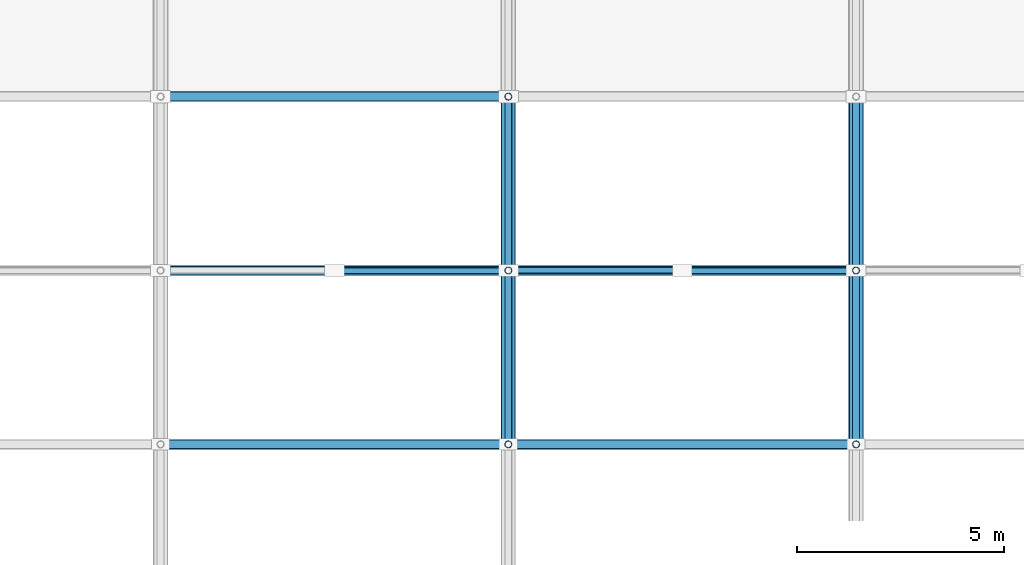
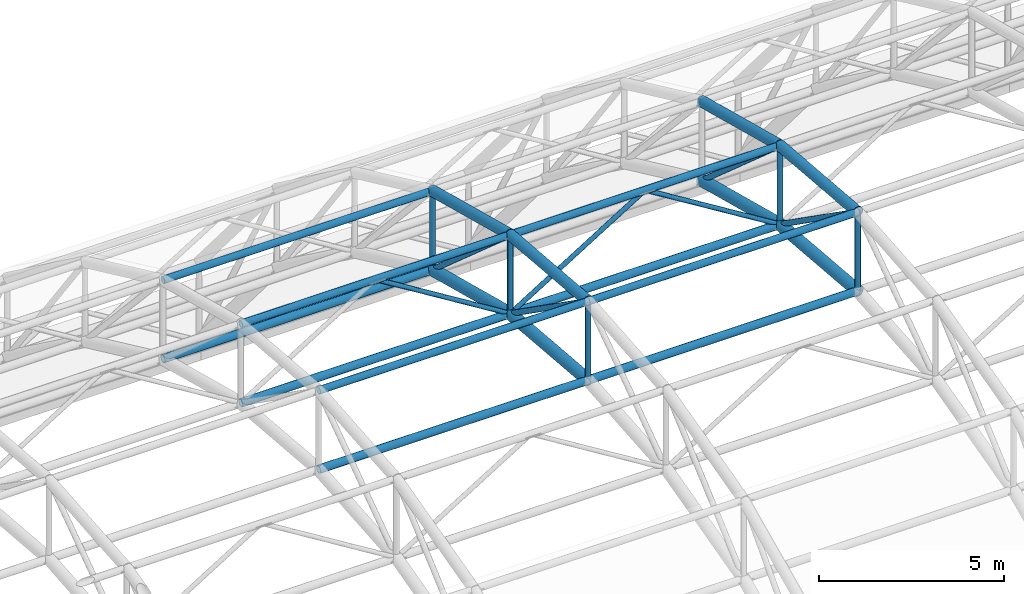
# One storey, part 44 of 103: 22 members, 8 beams.
"""IFC4 building model written with IfcOpenShell, lengths in metres."""

import ifcopenshell
import ifcopenshell.guid

model = None  # the IFC model being written
_history = None  # IfcOwnerHistory: only IFC2X3 demands one
_inside = {}  # id of a spatial element -> (the spatial element, [elements in it])
_under = {}  # id of a project, library or spatial element -> (it, [spatial elements below it])
_declared = {}  # id of a project -> (the project, [libraries it declares])
_typed = {}  # id of a type object -> (the type object, [elements of that type])
_made_of = {}  # id of a material, layer set ... -> (it, [elements and type objects made of it])


def new_model(schema):
    """Start an empty IFC model of exactly this schema.

    Asked for "IFC4X3", IfcOpenShell would pick the latest addendum, in which some entities
    have other attributes; the version numbers below select the first issue.
    IFC2X3 requires an IfcOwnerHistory on every rooted entity: one is made here for all.
    """
    global model, _history
    if schema == "IFC4X3":
        model = ifcopenshell.file(schema_version=(4, 3, 0, 0))
    else:
        model = ifcopenshell.file(schema=schema)
    _inside.clear()
    _under.clear()
    _declared.clear()
    _typed.clear()
    _made_of.clear()
    _history = None
    if model.schema == "IFC2X3":
        org = make("IfcOrganization", Name="unknown")
        user = make(
            "IfcPersonAndOrganization",
            ThePerson=make("IfcPerson", FamilyName="unknown"),
            TheOrganization=org,
        )
        app = make(
            "IfcApplication",
            ApplicationDeveloper=org,
            Version="unknown",
            ApplicationFullName="unknown",
            ApplicationIdentifier="unknown",
        )
        _history = make(
            "IfcOwnerHistory",
            OwningUser=user,
            OwningApplication=app,
            ChangeAction="ADDED",
            CreationDate=0,
        )
    return model


def make(cls, **values):
    """One entity of the class cls with the attributes given. An attribute that is None is left unset."""
    return model.create_entity(
        cls, **{name: value for name, value in values.items() if value is not None}
    )


def rooted(cls, **values):
    """An entity with a GlobalId (a new one), such as an element, a storey or a relation."""
    return make(cls, GlobalId=ifcopenshell.guid.new(), OwnerHistory=_history, **values)


def si_unit(unit_type, name, prefix=None):
    """IfcSIUnit, for example si_unit("LENGTHUNIT", "METRE", prefix="MILLI")."""
    return make("IfcSIUnit", UnitType=unit_type, Prefix=prefix, Name=name)


def assignment(units):
    """IfcUnitAssignment: the units of a project."""
    return None if units is None else make("IfcUnitAssignment", Units=units)


def point(xyz):
    """IfcCartesianPoint."""
    return None if xyz is None else make("IfcCartesianPoint", Coordinates=xyz)


def direction(xyz):
    """IfcDirection."""
    return None if xyz is None else make("IfcDirection", DirectionRatios=xyz)


def frame(location, z_axis=None, x_axis=None):
    """IfcAxis2Placement3D, a coordinate frame: its origin and axes. An axis left out is left unset."""
    return make(
        "IfcAxis2Placement3D",
        Location=point(location),
        Axis=direction(z_axis),
        RefDirection=direction(x_axis),
    )


def frame_2d(location, x_axis=None):
    """IfcAxis2Placement2D, a coordinate frame in the plane: its origin and x axis."""
    return make(
        "IfcAxis2Placement2D", Location=point(location), RefDirection=direction(x_axis)
    )


def origin():
    """The frame at (0, 0, 0) with its axes left unset."""
    return frame((0.0, 0.0, 0.0))


def origin_2d():
    """The frame at (0, 0) in the plane with its x axis left unset."""
    return frame_2d((0.0, 0.0))


def place(relative_to, where):
    """IfcLocalPlacement: puts the frame where relative to a parent placement (None: the world)."""
    return make(
        "IfcLocalPlacement", PlacementRelTo=relative_to, RelativePlacement=where
    )


def context(
    kind, dimensions, precision=None, world=None, true_north=None, identifier=None
):
    """IfcGeometricRepresentationContext, for example the 3D "Model" context."""
    return make(
        "IfcGeometricRepresentationContext",
        ContextIdentifier=identifier,
        ContextType=kind,
        CoordinateSpaceDimension=dimensions,
        Precision=precision,
        WorldCoordinateSystem=world,
        TrueNorth=true_north,
    )


def subcontext(parent, identifier, kind, view, scale=None):
    """IfcGeometricRepresentationSubContext, for example "Body" below "Model"."""
    return make(
        "IfcGeometricRepresentationSubContext",
        ContextIdentifier=identifier,
        ContextType=kind,
        ParentContext=parent,
        TargetScale=scale,
        TargetView=view,
    )


def project(units=None, contexts=None):
    """IfcProject with its units and contexts."""
    return rooted(
        "IfcProject",
        Name="project",
        RepresentationContexts=contexts,
        UnitsInContext=assignment(units),
    )


def spatial(cls, under=None, at=None, **own):
    """A site, building, storey or space (cls), placed at a placement, below another one or the project."""
    s = rooted(cls, ObjectPlacement=at, **own)
    if under is not None:
        _under.setdefault(under.id(), (under, []))[1].append(s)
    return s


def profile(cls, at=None, kind="AREA", **sizes):
    """A parametric profile (cls). Its sizes go by their IFC names, for example OverallWidth=200.0."""
    return make(cls, ProfileType=kind, Position=at, **sizes)


def hollow_circle(**sizes):
    """IfcCircleHollowProfileDef."""
    return profile("IfcCircleHollowProfileDef", **sizes)


def extrude(swept, where, along, depth):
    """IfcExtrudedAreaSolid: the profile swept, set in the frame where, extruded along a direction by depth."""
    return make(
        "IfcExtrudedAreaSolid",
        SweptArea=swept,
        Position=where,
        ExtrudedDirection=direction(along),
        Depth=depth,
    )


def shape(context_of_items, identifier, shape_type, items):
    """IfcShapeRepresentation: the items that make up one representation, for example the "Body"."""
    return make(
        "IfcShapeRepresentation",
        ContextOfItems=context_of_items,
        RepresentationIdentifier=identifier,
        RepresentationType=shape_type,
        Items=items,
    )


def material(Name=None, Category=None):
    """IfcMaterial."""
    return make("IfcMaterial", Name=Name, Category=Category)


def material_profile(
    of_material, cross_section, Name=None, Category=None, Priority=None
):
    """IfcMaterialProfile: a cross section and its material."""
    return make(
        "IfcMaterialProfile",
        Name=Name,
        Material=of_material,
        Profile=cross_section,
        Priority=Priority,
        Category=Category,
    )


def profile_set(profiles, Name=None, composite=None):
    """IfcMaterialProfileSet."""
    return make(
        "IfcMaterialProfileSet",
        Name=Name,
        MaterialProfiles=profiles,
        CompositeProfile=composite,
    )


def made_of(thing, what):
    """Note that an element or type object is made of a material, layer set ...; save() writes the relation."""
    if what is not None:
        _made_of.setdefault(what.id(), (what, []))[1].append(thing)
    return thing


def type_object(cls, material=None, **own):
    """A type object (cls), such as IfcWallType, which elements share."""
    return made_of(rooted(cls, **own), material)


def element(
    cls,
    number,
    at=None,
    inside=None,
    cuts=None,
    type_object=None,
    material=None,
    context=None,
    identifier="Body",
    shape_type=None,
    held_by="IfcProductDefinitionShape",
    body=None,
    shapes=None,
    **own,
):
    """One element of the class cls, such as IfcWall. Its Tag is "e" and its number.

    at: its placement. inside: the storey or other place that contains it. cuts: it is an
    opening in that element (IfcRelVoidsElement). A single representation is given by context,
    identifier, shape_type and body (its items); several are given by shapes. held_by: the class
    of the entity that holds the representations. save() writes the other relations.
    """
    e = rooted(cls, Tag="e%d" % number, ObjectPlacement=at, **own)
    if body is not None:
        shapes = [shape(context, identifier, shape_type, body)]
    if shapes is not None:
        e.Representation = make(held_by, Representations=shapes)
    if inside is not None:
        _inside.setdefault(inside.id(), (inside, []))[1].append(e)
    if cuts is not None:
        rooted(
            "IfcRelVoidsElement", RelatingBuildingElement=cuts, RelatedOpeningElement=e
        )
    if type_object is not None:
        _typed.setdefault(type_object.id(), (type_object, []))[1].append(e)
    return made_of(e, material)


def aggregate(whole, parts):
    """IfcRelAggregates: a whole, such as a stair, and the parts it consists of."""
    return rooted("IfcRelAggregates", RelatingObject=whole, RelatedObjects=parts)


def save(model, path):
    """Write the relations noted so far, then the file.

    IfcRelAggregates (storeys below a building ...), IfcRelContainedInSpatialStructure (elements
    in a storey), IfcRelDefinesByType, IfcRelAssociatesMaterial and IfcRelDeclares: one each for
    every whole, place, type object, material and project.
    """
    for whole, parts in _under.values():
        aggregate(whole, parts)
    for where, things in _inside.values():
        rooted(
            "IfcRelContainedInSpatialStructure",
            RelatedElements=things,
            RelatingStructure=where,
        )
    for kind, things in _typed.values():
        rooted("IfcRelDefinesByType", RelatedObjects=things, RelatingType=kind)
    for what, things in _made_of.values():
        rooted("IfcRelAssociatesMaterial", RelatedObjects=things, RelatingMaterial=what)
    for by, libraries in _declared.values():
        rooted("IfcRelDeclares", RelatingContext=by, RelatedDefinitions=libraries)
    model.write(path)


model = new_model("IFC4")

# Units and contexts
model_context = context("Model", 3, precision=1e-05, world=origin(), true_north=direction((0.0, 1.0)))
body_context = subcontext(model_context, "Body", "Model", "MODEL_VIEW")
ifc_project = project(units=[si_unit("LENGTHUNIT", "METRE"), si_unit("AREAUNIT", "SQUARE_METRE"), si_unit("VOLUMEUNIT", "CUBIC_METRE"), si_unit("PLANEANGLEUNIT", "RADIAN"), si_unit("MASSUNIT", "GRAM", prefix="KILO")], contexts=[model_context])

# Site, building, storey
site_placement = place(None, origin())
site = spatial("IfcSite", under=ifc_project, at=site_placement, CompositionType="ELEMENT")
building_placement = place(site_placement, origin())
building = spatial("IfcBuilding", under=site, at=building_placement, Name="Varnapada Polytechnic", CompositionType="ELEMENT")
storey_placement = place(building_placement, frame((0.0, 0.0, 18.0)))
storey = spatial("IfcBuildingStorey", under=building, at=storey_placement, Name="L04", CompositionType="ELEMENT", Elevation=18.0)

# Members
ifc_material = material(Name="Steel S355", Category="steel")
ifc_material_profile_1 = material_profile(ifc_material, hollow_circle(Radius=0.122314453125, WallThickness=0.008056640625, at=origin_2d()), Name="CHS 244.5x8.0")
ifc_profile_set_1 = profile_set([ifc_material_profile_1], Name="Steel S355")
member_type_1 = type_object("IfcMemberType", Name="Vaulted space frame longitudinal bottom chord SFC-01 (CHS 244.5x8.0)", PredefinedType="CHORD", material=ifc_profile_set_1)
for number, where, z_axis, x_axis, name in (
    (1, (92.39990234375, 105.0, 11.435302734375), (1.0, 0.0, 0.0), (0.0, 1.0, 0.0), "Vaulted space frame longitudinal bottom chord 6.6"),
    (2, (92.39990234375, 109.199951171875, 11.080078125), (1.0, 0.0, 0.0), (0.0, 1.0, 0.0), "Vaulted space frame longitudinal bottom chord 6.7"),
    (3, (92.39990234375, 113.39990234375, 9.98193359375), (1.0, 0.0, 0.0), (0.0, 1.0, 0.0), "Vaulted space frame longitudinal bottom chord 6.8"),
):
    element("IfcMember", number, at=place(storey_placement, frame(where, z_axis=z_axis, x_axis=x_axis)), inside=storey, type_object=member_type_1, Name=name, PredefinedType="CHORD", context=body_context, shape_type="SweptSolid", body=[
        extrude(hollow_circle(Radius=0.122314453125, WallThickness=0.008056640625, at=origin_2d()), origin(), (0.0, 0.0, 1.0), 8.400146484375),
    ])
for number, where, z_axis, x_axis, name in (
    (4, (100.800048828125, 105.0, 11.435302734375), (1.0, 0.0, 0.0), (0.0, 1.0, 0.0), "Vaulted space frame longitudinal bottom chord 7.6"),
    (5, (100.800048828125, 109.199951171875, 11.080078125), (1.0, 0.0, 0.0), (0.0, 1.0, 0.0), "Vaulted space frame longitudinal bottom chord 7.7"),
):
    element("IfcMember", number, at=place(storey_placement, frame(where, z_axis=z_axis, x_axis=x_axis)), inside=storey, type_object=member_type_1, Name=name, PredefinedType="CHORD", context=body_context, shape_type="SweptSolid", body=[
        extrude(hollow_circle(Radius=0.122314453125, WallThickness=0.008056640625, at=origin_2d()), origin(), (0.0, 0.0, 1.0), 8.39990234375),
    ])
ifc_material_profile_2 = material_profile(ifc_material, hollow_circle(Radius=0.109619140625, WallThickness=0.008056640625, at=origin_2d()), Name="CHS 219.1x8.0")
ifc_profile_set_2 = profile_set([ifc_material_profile_2], Name="Steel S355")
member_type_2 = type_object("IfcMemberType", Name="Vaulted space frame longitudinal top chord SFC-02 (CHS 219.1x8.0)", PredefinedType="CHORD", material=ifc_profile_set_2)
for number, where, z_axis, x_axis, name in (
    (6, (92.39990234375, 105.0, 14.035400390625), (1.0, 0.0, 0.0), (0.0, 1.0, 0.0), "Vaulted space frame longitudinal top chord 6.6"),
    (7, (92.39990234375, 109.199951171875, 13.679931640625), (1.0, 0.0, 0.0), (0.0, 1.0, 0.0), "Vaulted space frame longitudinal top chord 6.7"),
    (8, (92.39990234375, 113.39990234375, 12.581787109375), (1.0, 0.0, 0.0), (0.0, 1.0, 0.0), "Vaulted space frame longitudinal top chord 6.8"),
):
    element("IfcMember", number, at=place(storey_placement, frame(where, z_axis=z_axis, x_axis=x_axis)), inside=storey, type_object=member_type_2, Name=name, PredefinedType="CHORD", context=body_context, shape_type="SweptSolid", body=[
        extrude(hollow_circle(Radius=0.109619140625, WallThickness=0.008056640625, at=origin_2d()), origin(), (0.0, 0.0, 1.0), 8.400146484375),
    ])
for number, where, z_axis, x_axis, name in (
    (9, (100.800048828125, 105.0, 14.035400390625), (1.0, 0.0, 0.0), (0.0, 1.0, 0.0), "Vaulted space frame longitudinal top chord 7.6"),
    (10, (100.800048828125, 109.199951171875, 13.679931640625), (1.0, 0.0, 0.0), (0.0, 1.0, 0.0), "Vaulted space frame longitudinal top chord 7.7"),
):
    element("IfcMember", number, at=place(storey_placement, frame(where, z_axis=z_axis, x_axis=x_axis)), inside=storey, type_object=member_type_2, Name=name, PredefinedType="CHORD", context=body_context, shape_type="SweptSolid", body=[
        extrude(hollow_circle(Radius=0.109619140625, WallThickness=0.008056640625, at=origin_2d()), origin(), (0.0, 0.0, 1.0), 8.39990234375),
    ])

# Beams
ifc_material_profile_3 = material_profile(ifc_material, hollow_circle(Radius=0.177734375, WallThickness=0.012451171875, at=origin_2d()), Name="CHS 355.6x12.5")
ifc_profile_set_3 = profile_set([ifc_material_profile_3], Name="Steel S355")
beam_type_1 = type_object("IfcBeamType", Name="Vaulted space frame primary arch rib VA-01 (CHS 355.6x12.5)", PredefinedType="BEAM", material=ifc_profile_set_3)
beam_1_placement = place(storey_placement, frame((100.800048828125, 105.0, 11.435302734375), z_axis=(0.0, 0.99644233396, -0.084277369988), x_axis=(-1.0, 0.0, 0.0)))
element("IfcBeam", 11, at=beam_1_placement, inside=storey, type_object=beam_type_1, Name="Vaulted space frame bottom arch chord 7.6", PredefinedType="BEAM", context=body_context, shape_type="SweptSolid", body=[
    extrude(hollow_circle(Radius=0.177734375, WallThickness=0.012451171875, at=origin_2d()), origin(), (0.0, 0.0, 1.0), 4.21484375),
])
beam_2_placement = place(storey_placement, frame((100.800048828125, 109.199951171875, 11.080078125), z_axis=(0.0, 0.967476176159, -0.252962148484), x_axis=(-1.0, 0.0, 0.0)))
element("IfcBeam", 12, at=beam_2_placement, inside=storey, type_object=beam_type_1, Name="Vaulted space frame bottom arch chord 7.7", PredefinedType="BEAM", context=body_context, shape_type="SweptSolid", body=[
    extrude(hollow_circle(Radius=0.177734375, WallThickness=0.012451171875, at=origin_2d()), origin(), (0.0, 0.0, 1.0), 4.341064453125),
])
beam_3_placement = place(storey_placement, frame((109.199951171875, 105.0, 11.435302734375), z_axis=(0.0, 0.99644233396, -0.084277369988), x_axis=(-1.0, 0.0, 0.0)))
element("IfcBeam", 13, at=beam_3_placement, inside=storey, type_object=beam_type_1, Name="Vaulted space frame bottom arch chord 8.6", PredefinedType="BEAM", context=body_context, shape_type="SweptSolid", body=[
    extrude(hollow_circle(Radius=0.177734375, WallThickness=0.012451171875, at=origin_2d()), origin(), (0.0, 0.0, 1.0), 4.21484375),
])
beam_4_placement = place(storey_placement, frame((109.199951171875, 109.199951171875, 11.080078125), z_axis=(0.0, 0.967476176159, -0.252962148484), x_axis=(-1.0, 0.0, 0.0)))
element("IfcBeam", 14, at=beam_4_placement, inside=storey, type_object=beam_type_1, Name="Vaulted space frame bottom arch chord 8.7", PredefinedType="BEAM", context=body_context, shape_type="SweptSolid", body=[
    extrude(hollow_circle(Radius=0.177734375, WallThickness=0.012451171875, at=origin_2d()), origin(), (0.0, 0.0, 1.0), 4.341064453125),
])

# Members
ifc_material_profile_4 = material_profile(ifc_material, hollow_circle(Radius=0.084228515625, WallThickness=0.00634765625, at=origin_2d()), Name="CHS 168.3x6.3")
ifc_profile_set_4 = profile_set([ifc_material_profile_4], Name="Steel S355")
member_type_3 = type_object("IfcMemberType", Name="Vaulted space frame primary web diagonal SFB-01 (CHS 168.3x6.3)", PredefinedType="BRACE", material=ifc_profile_set_4)
member_1_placement = place(storey_placement, frame((100.800048828125, 105.0, 14.035400390625), z_axis=(0.0, 0.817824649693, -0.575467498956), x_axis=(-1.0, 0.0, 0.0)))
element("IfcMember", 15, at=member_1_placement, inside=storey, type_object=member_type_3, Name="Vaulted space frame web diagonal 7.6", PredefinedType="BRACE", context=body_context, shape_type="SweptSolid", body=[
    extrude(hollow_circle(Radius=0.084228515625, WallThickness=0.00634765625, at=origin_2d()), origin(), (0.0, 0.0, 1.0), 5.135498046875),
])
member_2_placement = place(storey_placement, frame((100.800048828125, 109.199951171875, 13.679931640625), z_axis=(0.0, 0.750532603682, -0.660833421378), x_axis=(-1.0, 0.0, 0.0)))
element("IfcMember", 16, at=member_2_placement, inside=storey, type_object=member_type_3, Name="Vaulted space frame web diagonal 7.7", PredefinedType="BRACE", context=body_context, shape_type="SweptSolid", body=[
    extrude(hollow_circle(Radius=0.084228515625, WallThickness=0.00634765625, at=origin_2d()), origin(), (0.0, 0.0, 1.0), 5.595947265625),
])
member_3_placement = place(storey_placement, frame((109.199951171875, 105.0, 14.035400390625), z_axis=(0.0, 0.817824649693, -0.575467498956), x_axis=(-1.0, 0.0, 0.0)))
element("IfcMember", 17, at=member_3_placement, inside=storey, type_object=member_type_3, Name="Vaulted space frame web diagonal 8.6", PredefinedType="BRACE", context=body_context, shape_type="SweptSolid", body=[
    extrude(hollow_circle(Radius=0.084228515625, WallThickness=0.00634765625, at=origin_2d()), origin(), (0.0, 0.0, 1.0), 5.135498046875),
])
member_4_placement = place(storey_placement, frame((109.199951171875, 109.199951171875, 13.679931640625), z_axis=(0.0, 0.750532603682, -0.660833421378), x_axis=(-1.0, 0.0, 0.0)))
element("IfcMember", 18, at=member_4_placement, inside=storey, type_object=member_type_3, Name="Vaulted space frame web diagonal 8.7", PredefinedType="BRACE", context=body_context, shape_type="SweptSolid", body=[
    extrude(hollow_circle(Radius=0.084228515625, WallThickness=0.00634765625, at=origin_2d()), origin(), (0.0, 0.0, 1.0), 5.595947265625),
])
ifc_material_profile_5 = material_profile(ifc_material, hollow_circle(Radius=0.084228515625, WallThickness=0.00634765625, at=origin_2d()), Name="CHS 168.3x6.3")
ifc_profile_set_5 = profile_set([ifc_material_profile_5], Name="Steel S355")
member_type_4 = type_object("IfcMemberType", Name="Vaulted space frame radial web strut SFS-01 (CHS 168.3x6.3)", PredefinedType="STRUT", material=ifc_profile_set_5)
member_5_placement = place(storey_placement, frame((100.800048828125, 105.0, 11.435302734375), z_axis=(0.0, 0.0, 1.0), x_axis=(1.0, 0.0, 0.0)))
element("IfcMember", 19, at=member_5_placement, inside=storey, type_object=member_type_4, Name="Vaulted space frame strut 7.6", PredefinedType="STRUT", context=body_context, shape_type="SweptSolid", body=[
    extrude(hollow_circle(Radius=0.084228515625, WallThickness=0.00634765625, at=origin_2d()), origin(), (0.0, 0.0, 1.0), 2.60009765625),
])
for number, where, z_axis, x_axis, name in (
    (20, (100.800048828125, 109.199951171875, 11.080078125), (0.0, 0.0, 1.0), (1.0, 0.0, 0.0), "Vaulted space frame strut 7.7"),
    (21, (100.800048828125, 113.39990234375, 9.98193359375), (0.0, 0.0, 1.0), (1.0, 0.0, 0.0), "Vaulted space frame strut 7.8"),
):
    element("IfcMember", number, at=place(storey_placement, frame(where, z_axis=z_axis, x_axis=x_axis)), inside=storey, type_object=member_type_4, Name=name, PredefinedType="STRUT", context=body_context, shape_type="SweptSolid", body=[
        extrude(hollow_circle(Radius=0.084228515625, WallThickness=0.00634765625, at=origin_2d()), origin(), (0.0, 0.0, 1.0), 2.599853515625),
    ])
member_6_placement = place(storey_placement, frame((109.199951171875, 105.0, 11.435302734375), z_axis=(0.0, 0.0, 1.0), x_axis=(1.0, 0.0, 0.0)))
element("IfcMember", 22, at=member_6_placement, inside=storey, type_object=member_type_4, Name="Vaulted space frame strut 8.6", PredefinedType="STRUT", context=body_context, shape_type="SweptSolid", body=[
    extrude(hollow_circle(Radius=0.084228515625, WallThickness=0.00634765625, at=origin_2d()), origin(), (0.0, 0.0, 1.0), 2.60009765625),
])
member_7_placement = place(storey_placement, frame((109.199951171875, 109.199951171875, 11.080078125), z_axis=(0.0, 0.0, 1.0), x_axis=(1.0, 0.0, 0.0)))
element("IfcMember", 23, at=member_7_placement, inside=storey, type_object=member_type_4, Name="Vaulted space frame strut 8.7", PredefinedType="STRUT", context=body_context, shape_type="SweptSolid", body=[
    extrude(hollow_circle(Radius=0.084228515625, WallThickness=0.00634765625, at=origin_2d()), origin(), (0.0, 0.0, 1.0), 2.599853515625),
])
ifc_material_profile_6 = material_profile(ifc_material, hollow_circle(Radius=0.06982421875, WallThickness=0.0048828125, at=origin_2d()), Name="CHS 139.7x5.0")
ifc_profile_set_6 = profile_set([ifc_material_profile_6], Name="Steel S355")
member_type_5 = type_object("IfcMemberType", Name="Vaulted space frame secondary web diagonal SFB-02 (CHS 139.7x5.0)", PredefinedType="BRACE", material=ifc_profile_set_6)
for number, where, z_axis, x_axis, name in (
    (24, (100.800048828125, 109.199951171875, 11.080078125), (-0.85027567993, 0.0, 0.526337598999), (0.0, -1.0, 0.0), "Vaulted space frame longitudinal brace 6.7B"),
    (25, (100.800048828125, 109.199951171875, 11.080078125), (0.85027567993, 0.0, 0.526337598999), (0.0, 1.0, 0.0), "Vaulted space frame longitudinal brace 7.7A"),
    (26, (109.199951171875, 109.199951171875, 11.080078125), (-0.85027567993, 0.0, 0.526337598999), (0.0, -1.0, 0.0), "Vaulted space frame longitudinal brace 7.7B"),
):
    element("IfcMember", number, at=place(storey_placement, frame(where, z_axis=z_axis, x_axis=x_axis)), inside=storey, type_object=member_type_5, Name=name, PredefinedType="BRACE", context=body_context, shape_type="SweptSolid", body=[
        extrude(hollow_circle(Radius=0.06982421875, WallThickness=0.0048828125, at=origin_2d()), origin(), (0.0, 0.0, 1.0), 4.939453125),
    ])

# Beams
ifc_material_profile_7 = material_profile(ifc_material, hollow_circle(Radius=0.161865234375, WallThickness=0.010009765625, at=origin_2d()), Name="CHS 323.9x10.0")
ifc_profile_set_7 = profile_set([ifc_material_profile_7], Name="Steel S355")
beam_type_2 = type_object("IfcBeamType", Name="Vaulted space frame upper arch rib VA-02 (CHS 323.9x10.0)", PredefinedType="BEAM", material=ifc_profile_set_7)
beam_5_placement = place(storey_placement, frame((100.800048828125, 105.0, 14.035400390625), z_axis=(0.0, 0.996437468128, -0.084334880753), x_axis=(-1.0, 0.0, 0.0)))
element("IfcBeam", 27, at=beam_5_placement, inside=storey, type_object=beam_type_2, Name="Vaulted space frame top arch chord 7.6", PredefinedType="BEAM", context=body_context, shape_type="SweptSolid", body=[
    extrude(hollow_circle(Radius=0.161865234375, WallThickness=0.010009765625, at=origin_2d()), origin(), (0.0, 0.0, 1.0), 4.215087890625),
])
beam_6_placement = place(storey_placement, frame((100.800048828125, 109.199951171875, 13.679931640625), z_axis=(0.0, 0.967476176159, -0.252962148484), x_axis=(-1.0, 0.0, 0.0)))
element("IfcBeam", 28, at=beam_6_placement, inside=storey, type_object=beam_type_2, Name="Vaulted space frame top arch chord 7.7", PredefinedType="BEAM", context=body_context, shape_type="SweptSolid", body=[
    extrude(hollow_circle(Radius=0.161865234375, WallThickness=0.010009765625, at=origin_2d()), origin(), (0.0, 0.0, 1.0), 4.341064453125),
])
beam_7_placement = place(storey_placement, frame((109.199951171875, 105.0, 14.035400390625), z_axis=(0.0, 0.996437468128, -0.084334880753), x_axis=(-1.0, 0.0, 0.0)))
element("IfcBeam", 29, at=beam_7_placement, inside=storey, type_object=beam_type_2, Name="Vaulted space frame top arch chord 8.6", PredefinedType="BEAM", context=body_context, shape_type="SweptSolid", body=[
    extrude(hollow_circle(Radius=0.161865234375, WallThickness=0.010009765625, at=origin_2d()), origin(), (0.0, 0.0, 1.0), 4.215087890625),
])
beam_8_placement = place(storey_placement, frame((109.199951171875, 109.199951171875, 13.679931640625), z_axis=(0.0, 0.967476176159, -0.252962148484), x_axis=(-1.0, 0.0, 0.0)))
element("IfcBeam", 30, at=beam_8_placement, inside=storey, type_object=beam_type_2, Name="Vaulted space frame top arch chord 8.7", PredefinedType="BEAM", context=body_context, shape_type="SweptSolid", body=[
    extrude(hollow_circle(Radius=0.161865234375, WallThickness=0.010009765625, at=origin_2d()), origin(), (0.0, 0.0, 1.0), 4.341064453125),
])

save(model, "model.ifc")
